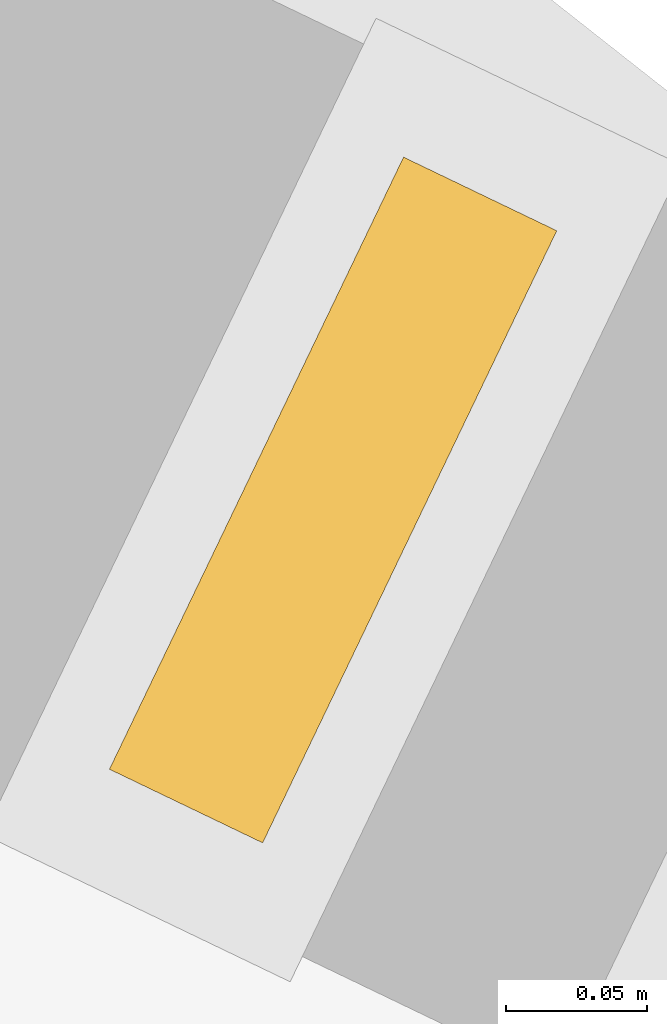
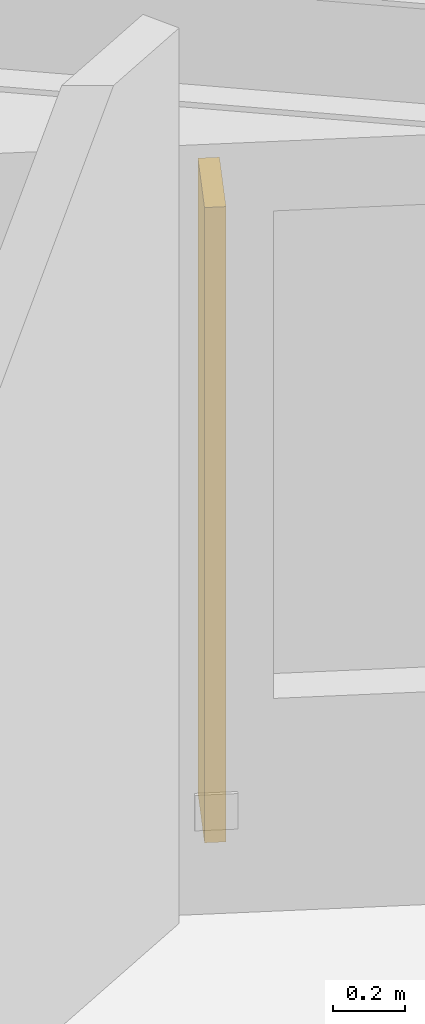
# One storey, part 18 of 18: 1 shading device.
"""IFC4 building model written with IfcOpenShell, lengths in metres."""

from ifc_helpers import new_model, si_unit, direction, frame, origin, origin_2d, place, context, subcontext, project, spatial, rectangle, extrude, material, type_object, element, save


model = new_model("IFC4")

# Units and contexts
model_context = context("Model", 3, precision=1e-05, world=origin(), true_north=direction((0.0, 1.0)))
body_context = subcontext(model_context, "Body", "Model", "MODEL_VIEW")
ifc_project = project(units=[si_unit("LENGTHUNIT", "METRE"), si_unit("AREAUNIT", "SQUARE_METRE"), si_unit("VOLUMEUNIT", "CUBIC_METRE"), si_unit("PLANEANGLEUNIT", "RADIAN"), si_unit("MASSUNIT", "GRAM", prefix="KILO")], contexts=[model_context])

# Site, building, storey
site_placement = place(None, origin())
site = spatial("IfcSite", under=ifc_project, at=site_placement, CompositionType="ELEMENT")
building_placement = place(site_placement, origin())
building = spatial("IfcBuilding", under=site, at=building_placement, Name="Kolvaren Gate Tower and Convention Centre", CompositionType="ELEMENT")
storey_placement = place(building_placement, frame((0.0, 0.0, 229.39990234375)))
storey = spatial("IfcBuildingStorey", under=building, at=storey_placement, Name="L61", CompositionType="ELEMENT", Elevation=229.39990234375)

# Shading device
ifc_material = material(Name="Kiln-Fired Bogota Terracotta Ceramic Louvre Profile", Category="masonry")
shading_device_type = type_object("IfcShadingDeviceType", Name="ARCH-SHD-FIN-180", PredefinedType="JALOUSIE", material=ifc_material)
shading_device_placement = place(storey_placement, frame((48.016357421875, 38.602294921875, 0.22021484375), z_axis=(0.0, 0.0, 1.0), x_axis=(0.90135914581, -0.433072384555, 0.0)))
element("IfcShadingDevice", 1, at=shading_device_placement, inside=storey, type_object=shading_device_type, Name="Ceramic Vertical Brise-Soleil Fin FN-L61-02", PredefinedType="JALOUSIE", context=body_context, shape_type="SweptSolid", body=[
    extrude(rectangle(XDim=0.06005859375, YDim=0.239990234375, at=origin_2d()), origin(), (0.0, 0.0, 1.0), 2.14990234375),
])

save(model, "model.ifc")
